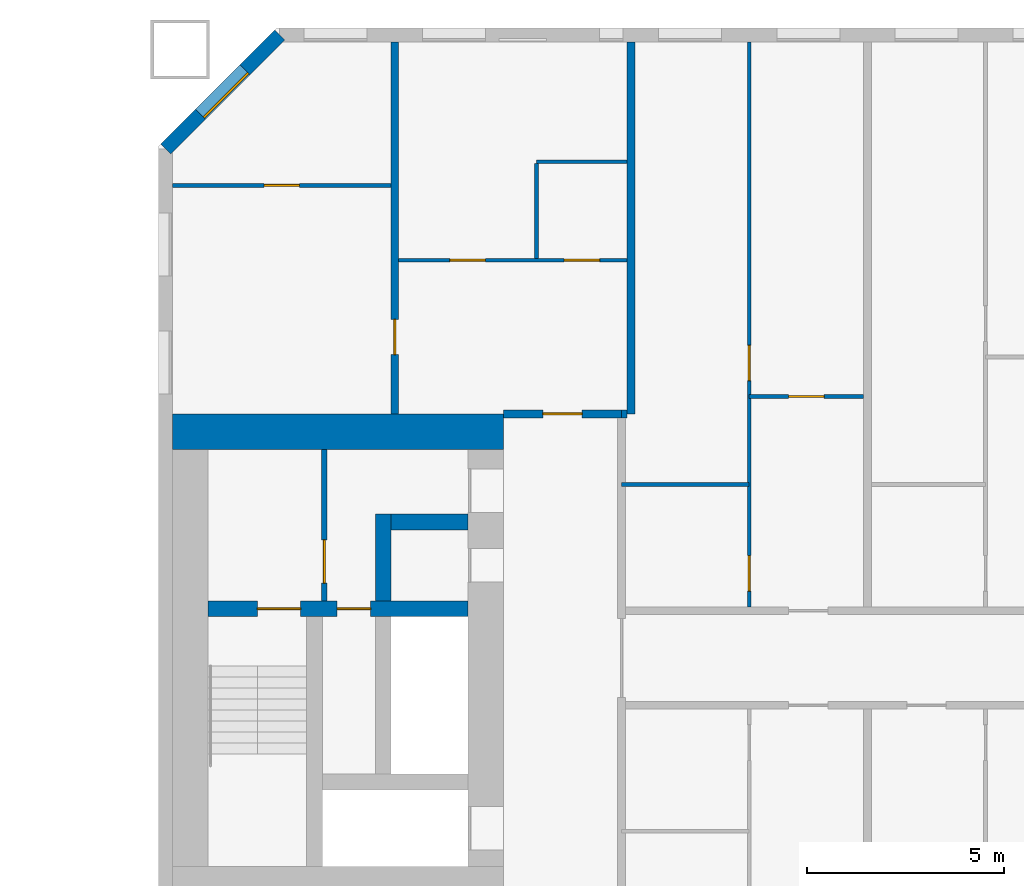
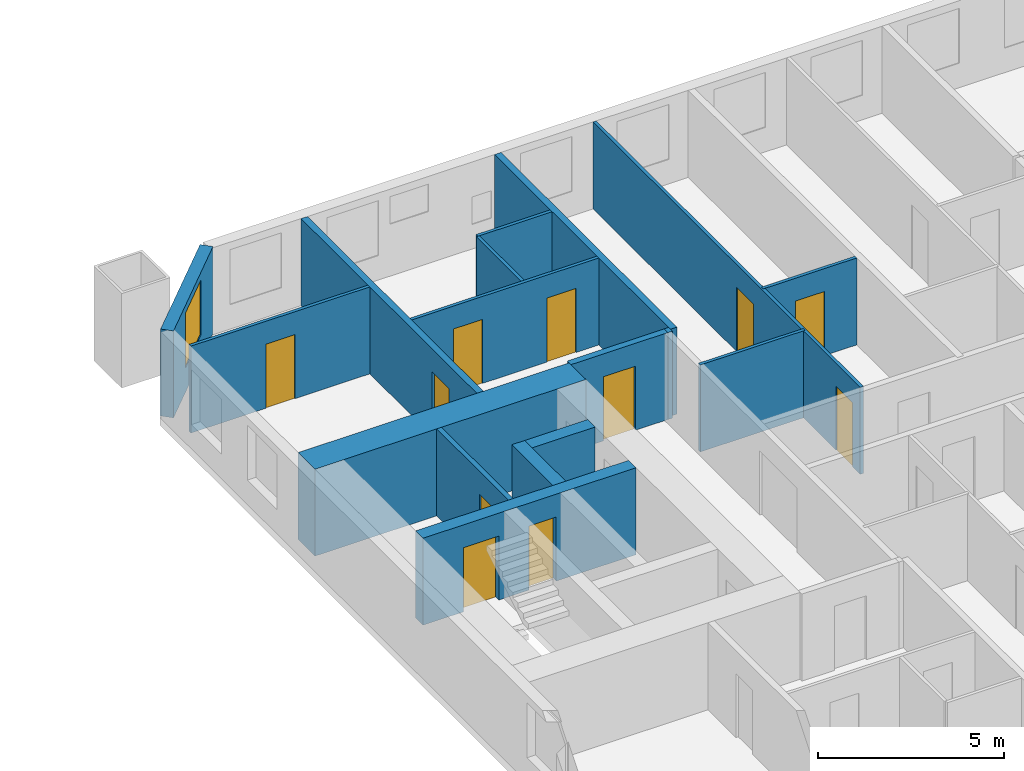
# One storey, part 10 of 17: 17 walls, 11 doors, 1 window, 12 openings.
"""IFC4 building model written with IfcOpenShell, lengths in metres."""

from ifc_helpers import new_model, si_unit, direction, frame, frame_2d, origin, place, context, subcontext, project, spatial, rectangle, extrude, material, layer, layer_set, type_object, element, fill, save


model = new_model("IFC4")

# Units and contexts
model_context = context("Model", 3, precision=1e-05, world=origin(), true_north=direction((0.0, 1.0)))
body_context = subcontext(model_context, "Body", "Model", "MODEL_VIEW")
ifc_project = project(units=[si_unit("LENGTHUNIT", "METRE"), si_unit("AREAUNIT", "SQUARE_METRE"), si_unit("VOLUMEUNIT", "CUBIC_METRE"), si_unit("PLANEANGLEUNIT", "RADIAN"), si_unit("MASSUNIT", "GRAM", prefix="KILO")], contexts=[model_context])

# Site, building, storey
site_placement = place(None, origin())
site = spatial("IfcSite", under=ifc_project, at=site_placement, CompositionType="ELEMENT")
building_placement = place(site_placement, origin())
building = spatial("IfcBuilding", under=site, at=building_placement, Name="Tuart Gate Housing", CompositionType="ELEMENT")
storey_placement = place(building_placement, frame((0.0, 0.0, 25.699951171875)))
storey = spatial("IfcBuildingStorey", under=building, at=storey_placement, Name="L06", CompositionType="ELEMENT", Elevation=25.699951171875)

# Wall, opening, window
ifc_material_1 = material(Name="Brick", Category="masonry")
ifc_layer_1 = layer(ifc_material_1, 0.360107421875)
ifc_layer_set_1 = layer_set([ifc_layer_1], Name="Brick pier and spandrel wall 360")
wall_type_1 = type_object("IfcWallType", Name="Brick pier and spandrel wall 360", PredefinedType="STANDARD", material=ifc_layer_set_1)
wall_1_placement = place(storey_placement, frame((134.07470703125, 85.820068359375, 0.0), z_axis=(0.0, 0.0, 1.0), x_axis=(-0.707106781187, -0.707106781187, 0.0)))
wall_1 = element("IfcWall", 1, at=wall_1_placement, inside=storey, type_object=wall_type_1, Name="External wall B-NW L06", PredefinedType="STANDARD", context=body_context, shape_type="SweptSolid", body=[
    extrude(rectangle(XDim=4.09375, YDim=0.360107421875, at=frame_2d((2.046875, 0.0))), origin(), (0.0, 0.0, 1.0), 2.85009765625),
])
opening_1_placement = place(wall_1_placement, frame((1.2470703125, 0.0, 0.800048828125)))
opening_1 = element("IfcOpeningElement", 2, at=opening_1_placement, cuts=wall_1, Name="Opening W1", PredefinedType="OPENING", context=body_context, shape_type="SweptSolid", body=[
    extrude(rectangle(XDim=1.60009765625, YDim=1.800048828125, at=frame_2d((0.800048828125, 0.89990234375))), frame((0.0, 0.18994140625, 0.0), z_axis=(0.0, -1.0, 0.0), x_axis=(1.0, 0.0, 0.0)), (0.0, 0.0, 1.0), 0.380126953125),
])
ifc_material_2 = material(Name="Aluminium frame with clear glass", Category="aluminium")
window_type = type_object("IfcWindowType", Name="Punched window 1600 x 1800", PartitioningType="SINGLE_PANEL", PredefinedType="WINDOW", material=ifc_material_2)
window_placement = place(opening_1_placement, origin())
window = element("IfcWindow", 3, at=window_placement, inside=storey, type_object=window_type, Name="Window W1", OverallHeight=1.800048828125, OverallWidth=1.60009765625, PartitioningType="SINGLE_PANEL", PredefinedType="WINDOW", context=body_context, shape_type="SweptSolid", body=[
    extrude(rectangle(XDim=1.60009765625, YDim=1.800048828125, at=frame_2d((0.800048828125, 0.89990234375))), frame((0.0, 0.150146484375, 0.0), z_axis=(0.0, -1.0, 0.0), x_axis=(1.0, 0.0, 0.0)), (0.0, 0.0, 1.0), 0.06005859375),
])
fill(opening_1, window)

# Wall, opening, door
ifc_material_3 = material(Name="Plasterboard partition")
ifc_layer_2 = layer(ifc_material_3, 0.14990234375)
ifc_layer_set_2 = layer_set([ifc_layer_2], Name="Core partition 150")
wall_type_2 = type_object("IfcWallType", Name="Core partition 150", PredefinedType="PARTITIONING", material=ifc_layer_set_2)
wall_2_placement = place(storey_placement, frame((135.2099609375, 71.449951171875, 0.0), z_axis=(0.0, 0.0, 1.0), x_axis=(0.0, 1.0, 0.0)))
wall_2 = element("IfcWall", 4, at=wall_2_placement, inside=storey, type_object=wall_type_2, Name="Core partition BG.6", PredefinedType="PARTITIONING", context=body_context, shape_type="SweptSolid", body=[
    extrude(rectangle(XDim=3.85009765625, YDim=0.14990234375, at=frame_2d((1.925048828125, 0.0))), origin(), (0.0, 0.0, 1.0), 2.85009765625),
])
opening_2_placement = place(wall_2_placement, frame((0.449951171875, 0.0, 0.0)))
opening_2 = element("IfcOpeningElement", 5, at=opening_2_placement, cuts=wall_2, Name="Opening D429", PredefinedType="OPENING", context=body_context, shape_type="SweptSolid", body=[
    extrude(rectangle(XDim=1.10009765625, YDim=2.10009765625, at=frame_2d((0.550048828125, 1.050048828125))), frame((0.0, 0.0849609375, 0.0), z_axis=(0.0, -1.0, 0.0), x_axis=(1.0, 0.0, 0.0)), (0.0, 0.0, 1.0), 0.169921875),
])
ifc_material_4 = material(Name="Steel fire door", Category="steel")
door_type_1 = type_object("IfcDoorType", Name="Lobby door 1100 x 2100", OperationType="SINGLE_SWING_LEFT", PredefinedType="DOOR", material=ifc_material_4)
door_1_placement = place(opening_2_placement, origin())
door_1 = element("IfcDoor", 6, at=door_1_placement, inside=storey, type_object=door_type_1, Name="Smoke lobby door BG.KD", OperationType="SINGLE_SWING_LEFT", OverallHeight=2.10009765625, OverallWidth=1.10009765625, PredefinedType="DOOR", context=body_context, shape_type="SweptSolid", body=[
    extrude(rectangle(XDim=1.10009765625, YDim=2.10009765625, at=frame_2d((0.550048828125, 1.050048828125))), frame((0.0, 0.02490234375, 0.0), z_axis=(0.0, -1.0, 0.0), x_axis=(1.0, 0.0, 0.0)), (0.0, 0.0, 1.0), 0.050048828125),
])
fill(opening_2, door_1)

# Wall, openings, doors
ifc_material_5 = material(Name="Concrete C60", Category="concrete")
ifc_layer_3 = layer(ifc_material_5, 0.39990234375)
ifc_layer_set_3 = layer_set([ifc_layer_3], Name="Core wall 400 C60")
wall_type_3 = type_object("IfcWallType", Name="Core wall 400 C60", PredefinedType="SHEAR", material=ifc_layer_set_3)
wall_3_placement = place(storey_placement, frame((138.860107421875, 71.25, 0.0), z_axis=(0.0, 0.0, 1.0), x_axis=(-1.0, 0.0, 0.0)))
wall_3 = element("IfcWall", 7, at=wall_3_placement, inside=storey, type_object=wall_type_3, Name="Core wall BG.2", PredefinedType="SHEAR", context=body_context, shape_type="SweptSolid", body=[
    extrude(rectangle(XDim=6.60009765625, YDim=0.39990234375, at=frame_2d((3.300048828125, 0.0))), origin(), (0.0, 0.0, 1.0), 2.85009765625),
])
opening_3_placement = place(wall_3_placement, frame((4.25, 0.0, 0.0)))
opening_3 = element("IfcOpeningElement", 8, at=opening_3_placement, cuts=wall_3, Name="Opening D431", PredefinedType="OPENING", context=body_context, shape_type="SweptSolid", body=[
    extrude(rectangle(XDim=1.10009765625, YDim=2.10009765625, at=frame_2d((0.550048828125, 1.050048828125))), frame((0.0, 0.2099609375, 0.0), z_axis=(0.0, -1.0, 0.0), x_axis=(1.0, 0.0, 0.0)), (0.0, 0.0, 1.0), 0.419921875),
])
opening_4_placement = place(wall_3_placement, frame((2.47509765625, 0.0, 0.0)))
opening_4 = element("IfcOpeningElement", 9, at=opening_4_placement, cuts=wall_3, Name="Opening D430", PredefinedType="OPENING", context=body_context, shape_type="SweptSolid", body=[
    extrude(rectangle(XDim=0.85009765625, YDim=2.10009765625, at=frame_2d((0.425048828125, 1.050048828125))), frame((0.0, 0.2099609375, 0.0), z_axis=(0.0, -1.0, 0.0), x_axis=(1.0, 0.0, 0.0)), (0.0, 0.0, 1.0), 0.419921875),
])
ifc_material_6 = material(Name="Steel fire door", Category="steel")
door_type_2 = type_object("IfcDoorType", Name="Riser door 850 x 2100", OperationType="SINGLE_SWING_LEFT", PredefinedType="DOOR", material=ifc_material_6)
door_2_placement = place(opening_4_placement, origin())
door_2 = element("IfcDoor", 10, at=door_2_placement, inside=storey, type_object=door_type_2, Name="Service room door BG.W1", OperationType="SINGLE_SWING_LEFT", OverallHeight=2.10009765625, OverallWidth=0.85009765625, PredefinedType="DOOR", context=body_context, shape_type="SweptSolid", body=[
    extrude(rectangle(XDim=0.85009765625, YDim=2.10009765625, at=frame_2d((0.425048828125, 1.050048828125))), frame((0.0, 0.02490234375, 0.0), z_axis=(0.0, -1.0, 0.0), x_axis=(1.0, 0.0, 0.0)), (0.0, 0.0, 1.0), 0.050048828125),
])
fill(opening_4, door_2)
ifc_material_7 = material(Name="Steel fire door", Category="steel")
door_type_3 = type_object("IfcDoorType", Name="Stair door 1100 x 2100", OperationType="SINGLE_SWING_LEFT", PredefinedType="DOOR", material=ifc_material_7)
door_3_placement = place(opening_3_placement, origin())
door_3 = element("IfcDoor", 11, at=door_3_placement, inside=storey, type_object=door_type_3, Name="Stair door BG.SD", OperationType="SINGLE_SWING_LEFT", OverallHeight=2.10009765625, OverallWidth=1.10009765625, PredefinedType="DOOR", context=body_context, shape_type="SweptSolid", body=[
    extrude(rectangle(XDim=1.10009765625, YDim=2.10009765625, at=frame_2d((0.550048828125, 1.050048828125))), frame((0.0, 0.02490234375, 0.0), z_axis=(0.0, -1.0, 0.0), x_axis=(1.0, 0.0, 0.0)), (0.0, 0.0, 1.0), 0.050048828125),
])
fill(opening_3, door_3)

# Walls
wall_4_placement = place(storey_placement, frame((138.860107421875, 73.449951171875, 0.0), z_axis=(0.0, 0.0, 1.0), x_axis=(-1.0, 0.0, 0.0)))
element("IfcWall", 12, at=wall_4_placement, inside=storey, type_object=wall_type_3, Name="Core wall BG.3", PredefinedType="SHEAR", context=body_context, shape_type="SweptSolid", body=[
    extrude(rectangle(XDim=1.9501953125, YDim=0.39990234375, at=frame_2d((0.97509765625, 0.0))), origin(), (0.0, 0.0, 1.0), 2.85009765625),
])
wall_5_placement = place(storey_placement, frame((136.7099609375, 71.449951171875, 0.0), z_axis=(0.0, 0.0, 1.0), x_axis=(0.0, 1.0, 0.0)))
element("IfcWall", 13, at=wall_5_placement, inside=storey, type_object=wall_type_3, Name="Core wall BG.5", PredefinedType="SHEAR", context=body_context, shape_type="SweptSolid", body=[
    extrude(rectangle(XDim=2.199951171875, YDim=0.39990234375, at=frame_2d((1.10009765625, 0.0))), origin(), (0.0, 0.0, 1.0), 2.85009765625),
])
ifc_material_8 = material(Name="Concrete C60", Category="concrete")
ifc_layer_4 = layer(ifc_material_8, 0.89990234375)
ifc_layer_set_4 = layer_set([ifc_layer_4], Name="Core wall 900 C60")
wall_type_4 = type_object("IfcWallType", Name="Core wall 900 C60", PredefinedType="SHEAR", material=ifc_layer_set_4)
wall_6_placement = place(storey_placement, frame((139.760009765625, 75.75, 0.0), z_axis=(0.0, 0.0, 1.0), x_axis=(-1.0, 0.0, 0.0)))
element("IfcWall", 14, at=wall_6_placement, inside=storey, type_object=wall_type_4, Name="Core wall BG north", PredefinedType="SHEAR", context=body_context, shape_type="SweptSolid", body=[
    extrude(rectangle(XDim=8.39990234375, YDim=0.89990234375, at=frame_2d((4.199951171875, 0.0))), origin(), (0.0, 0.0, 1.0), 2.85009765625),
])

# Wall, opening, door
ifc_material_9 = material(Name="Concrete masonry 15 MPa", Category="masonry")
ifc_layer_5 = layer(ifc_material_9, 0.199951171875)
ifc_layer_set_5 = layer_set([ifc_layer_5], Name="Enclosure wall masonry 200")
wall_type_5 = type_object("IfcWallType", Name="Enclosure wall masonry 200", PredefinedType="PARTITIONING", material=ifc_layer_set_5)
wall_7_placement = place(storey_placement, frame((139.760009765625, 76.199951171875, 0.0), z_axis=(0.0, 0.0, 1.0), x_axis=(1.0, 0.0, 0.0)))
wall_7 = element("IfcWall", 15, at=wall_7_placement, inside=storey, type_object=wall_type_5, Name="Enclosure wall masonry 200", PredefinedType="PARTITIONING", context=body_context, shape_type="SweptSolid", body=[
    extrude(rectangle(XDim=3.0, YDim=0.199951171875, at=frame_2d((1.5, 0.0))), origin(), (0.0, 0.0, 1.0), 2.85009765625),
])
opening_5_placement = place(wall_7_placement, frame((1.0, 0.0, 0.0)))
opening_5 = element("IfcOpeningElement", 16, at=opening_5_placement, cuts=wall_7, Name="Opening D426", PredefinedType="OPENING", context=body_context, shape_type="SweptSolid", body=[
    extrude(rectangle(XDim=1.0, YDim=2.10009765625, at=frame_2d((0.5, 1.050048828125))), frame((0.0, 0.10986328125, 0.0), z_axis=(0.0, -1.0, 0.0), x_axis=(1.0, 0.0, 0.0)), (0.0, 0.0, 1.0), 0.219970703125),
])
ifc_material_10 = material(Name="Timber door leaf in steel frame", Category="steel")
door_type_4 = type_object("IfcDoorType", Name="Flat entrance door 1000 RH", OperationType="SINGLE_SWING_RIGHT", PredefinedType="DOOR", material=ifc_material_10)
door_4_placement = place(opening_5_placement, origin())
door_4 = element("IfcDoor", 17, at=door_4_placement, inside=storey, type_object=door_type_4, Name="Flat entrance door", OperationType="SINGLE_SWING_RIGHT", OverallHeight=2.10009765625, OverallWidth=1.0, PredefinedType="DOOR", context=body_context, shape_type="SweptSolid", body=[
    extrude(rectangle(XDim=1.0, YDim=2.10009765625, at=frame_2d((0.5, 1.050048828125))), frame((0.0, 0.02490234375, 0.0), z_axis=(0.0, -1.0, 0.0), x_axis=(1.0, 0.0, 0.0)), (0.0, 0.0, 1.0), 0.050048828125),
])
fill(opening_5, door_4)

# Wall
ifc_material_11 = material(Name="Gypsum board on steel studs", Category="steel")
ifc_layer_6 = layer(ifc_material_11, 0.10009765625)
ifc_layer_set_6 = layer_set([ifc_layer_6], Name="Partition 100")
wall_type_6 = type_object("IfcWallType", Name="Partition 100", PredefinedType="PARTITIONING", material=ifc_layer_set_6)
wall_8_placement = place(storey_placement, frame((142.760009765625, 74.39990234375, 0.0), z_axis=(0.0, 0.0, 1.0), x_axis=(1.0, 0.0, 0.0)))
element("IfcWall", 18, at=wall_8_placement, inside=storey, type_object=wall_type_6, Name="Partition 100", PredefinedType="PARTITIONING", context=body_context, shape_type="SweptSolid", body=[
    extrude(rectangle(XDim=3.239990234375, YDim=0.10009765625, at=frame_2d((1.6201171875, 0.0))), origin(), (0.0, 0.0, 1.0), 2.85009765625),
])

# Wall, opening, door
wall_9_placement = place(storey_placement, frame((146.0, 76.639892578125, 0.0), z_axis=(0.0, 0.0, 1.0), x_axis=(1.0, 0.0, 0.0)))
wall_9 = element("IfcWall", 19, at=wall_9_placement, inside=storey, type_object=wall_type_6, Name="Partition 100", PredefinedType="PARTITIONING", context=body_context, shape_type="SweptSolid", body=[
    extrude(rectangle(XDim=2.89990234375, YDim=0.10009765625, at=frame_2d((1.449951171875, 0.0))), origin(), (0.0, 0.0, 1.0), 2.85009765625),
])
opening_6_placement = place(wall_9_placement, frame((1.0, 0.0, 0.0)))
opening_6 = element("IfcOpeningElement", 20, at=opening_6_placement, cuts=wall_9, Name="Opening D425", PredefinedType="OPENING", context=body_context, shape_type="SweptSolid", body=[
    extrude(rectangle(XDim=0.89990234375, YDim=2.10009765625, at=frame_2d((0.449951171875, 1.050048828125))), frame((0.0, 0.06005859375, 0.0), z_axis=(0.0, -1.0, 0.0), x_axis=(1.0, 0.0, 0.0)), (0.0, 0.0, 1.0), 0.1201171875),
])
ifc_material_12 = material(Name="Timber door leaf in steel frame", Category="steel")
door_type_5 = type_object("IfcDoorType", Name="Internal door 900 RH", OperationType="SINGLE_SWING_RIGHT", PredefinedType="DOOR", material=ifc_material_12)
door_5_placement = place(opening_6_placement, frame((0.89990234375, 0.0, 0.0), z_axis=(0.0, 0.0, 1.0), x_axis=(-1.0, 0.0, 0.0)))
door_5 = element("IfcDoor", 21, at=door_5_placement, inside=storey, type_object=door_type_5, Name="Internal door", OperationType="SINGLE_SWING_RIGHT", OverallHeight=2.10009765625, OverallWidth=0.89990234375, PredefinedType="DOOR", context=body_context, shape_type="SweptSolid", body=[
    extrude(rectangle(XDim=0.89990234375, YDim=2.10009765625, at=frame_2d((0.449951171875, 1.050048828125))), frame((0.0, 0.025146484375, 0.0), z_axis=(0.0, -1.0, 0.0), x_axis=(1.0, 0.0, 0.0)), (0.0, 0.0, 1.0), 0.050048828125),
])
fill(opening_6, door_5)

# Wall, openings, doors
wall_10_placement = place(storey_placement, frame((137.10009765625, 80.10009765625, 0.0), z_axis=(0.0, 0.0, 1.0), x_axis=(1.0, 0.0, 0.0)))
wall_10 = element("IfcWall", 22, at=wall_10_placement, inside=storey, type_object=wall_type_6, Name="Partition 100", PredefinedType="PARTITIONING", context=body_context, shape_type="SweptSolid", body=[
    extrude(rectangle(XDim=5.7998046875, YDim=0.10009765625, at=frame_2d((2.89990234375, 0.0))), origin(), (0.0, 0.0, 1.0), 2.85009765625),
])
opening_7_placement = place(wall_10_placement, frame((1.300048828125, 0.0, 0.0)))
opening_7 = element("IfcOpeningElement", 23, at=opening_7_placement, cuts=wall_10, Name="Opening D417", PredefinedType="OPENING", context=body_context, shape_type="SweptSolid", body=[
    extrude(rectangle(XDim=0.89990234375, YDim=2.10009765625, at=frame_2d((0.449951171875, 1.050048828125))), frame((0.0, 0.06005859375, 0.0), z_axis=(0.0, -1.0, 0.0), x_axis=(1.0, 0.0, 0.0)), (0.0, 0.0, 1.0), 0.1201171875),
])
opening_8_placement = place(wall_10_placement, frame((4.199951171875, 0.0, 0.0)))
opening_8 = element("IfcOpeningElement", 24, at=opening_8_placement, cuts=wall_10, Name="Opening D416", PredefinedType="OPENING", context=body_context, shape_type="SweptSolid", body=[
    extrude(rectangle(XDim=0.89990234375, YDim=2.10009765625, at=frame_2d((0.449951171875, 1.050048828125))), frame((0.0, 0.06005859375, 0.0), z_axis=(0.0, -1.0, 0.0), x_axis=(1.0, 0.0, 0.0)), (0.0, 0.0, 1.0), 0.1201171875),
])
ifc_material_13 = material(Name="Timber door leaf in steel frame", Category="steel")
door_type_6 = type_object("IfcDoorType", Name="Bathroom door 900", OperationType="SINGLE_SWING_LEFT", PredefinedType="DOOR", material=ifc_material_13)
door_6_placement = place(opening_8_placement, origin())
door_6 = element("IfcDoor", 25, at=door_6_placement, inside=storey, type_object=door_type_6, Name="Bathroom door", OperationType="SINGLE_SWING_LEFT", OverallHeight=2.10009765625, OverallWidth=0.89990234375, PredefinedType="DOOR", context=body_context, shape_type="SweptSolid", body=[
    extrude(rectangle(XDim=0.89990234375, YDim=2.10009765625, at=frame_2d((0.449951171875, 1.050048828125))), frame((0.0, 0.02490234375, 0.0), z_axis=(0.0, -1.0, 0.0), x_axis=(1.0, 0.0, 0.0)), (0.0, 0.0, 1.0), 0.050048828125),
])
fill(opening_8, door_6)
door_7_placement = place(opening_7_placement, origin())
door_7 = element("IfcDoor", 26, at=door_7_placement, inside=storey, type_object=door_type_5, Name="Internal door", OperationType="SINGLE_SWING_RIGHT", OverallHeight=2.10009765625, OverallWidth=0.89990234375, PredefinedType="DOOR", context=body_context, shape_type="SweptSolid", body=[
    extrude(rectangle(XDim=0.89990234375, YDim=2.10009765625, at=frame_2d((0.449951171875, 1.050048828125))), frame((0.0, 0.02490234375, 0.0), z_axis=(0.0, -1.0, 0.0), x_axis=(1.0, 0.0, 0.0)), (0.0, 0.0, 1.0), 0.050048828125),
])
fill(opening_7, door_7)

# Wall, opening, door
wall_11_placement = place(storey_placement, frame((131.360107421875, 82.0, 0.0), z_axis=(0.0, 0.0, 1.0), x_axis=(1.0, 0.0, 0.0)))
wall_11 = element("IfcWall", 27, at=wall_11_placement, inside=storey, type_object=wall_type_6, Name="Partition 100", PredefinedType="PARTITIONING", context=body_context, shape_type="SweptSolid", body=[
    extrude(rectangle(XDim=5.539794921875, YDim=0.10009765625, at=frame_2d((2.77001953125, 0.0))), origin(), (0.0, 0.0, 1.0), 2.85009765625),
])
opening_9_placement = place(wall_11_placement, frame((2.320068359375, 0.0, 0.0)))
opening_9 = element("IfcOpeningElement", 28, at=opening_9_placement, cuts=wall_11, Name="Opening D414", PredefinedType="OPENING", context=body_context, shape_type="SweptSolid", body=[
    extrude(rectangle(XDim=0.89990234375, YDim=2.10009765625, at=frame_2d((0.449951171875, 1.050048828125))), frame((0.0, 0.06005859375, 0.0), z_axis=(0.0, -1.0, 0.0), x_axis=(1.0, 0.0, 0.0)), (0.0, 0.0, 1.0), 0.1201171875),
])
ifc_material_14 = material(Name="Timber door leaf in steel frame", Category="steel")
door_type_7 = type_object("IfcDoorType", Name="Internal door 900", OperationType="SINGLE_SWING_LEFT", PredefinedType="DOOR", material=ifc_material_14)
door_8_placement = place(opening_9_placement, origin())
door_8 = element("IfcDoor", 29, at=door_8_placement, inside=storey, type_object=door_type_7, Name="Internal door", OperationType="SINGLE_SWING_LEFT", OverallHeight=2.10009765625, OverallWidth=0.89990234375, PredefinedType="DOOR", context=body_context, shape_type="SweptSolid", body=[
    extrude(rectangle(XDim=0.89990234375, YDim=2.10009765625, at=frame_2d((0.449951171875, 1.050048828125))), frame((0.0, 0.02490234375, 0.0), z_axis=(0.0, -1.0, 0.0), x_axis=(1.0, 0.0, 0.0)), (0.0, 0.0, 1.0), 0.050048828125),
])
fill(opening_9, door_8)

# Walls
wall_12_placement = place(storey_placement, frame((140.60009765625, 82.60009765625, 0.0), z_axis=(0.0, 0.0, 1.0), x_axis=(1.0, 0.0, 0.0)))
element("IfcWall", 30, at=wall_12_placement, inside=storey, type_object=wall_type_6, Name="Partition 100", PredefinedType="PARTITIONING", context=body_context, shape_type="SweptSolid", body=[
    extrude(rectangle(XDim=2.2998046875, YDim=0.10009765625, at=frame_2d((1.14990234375, 0.0))), origin(), (0.0, 0.0, 1.0), 2.85009765625),
])
wall_13_placement = place(storey_placement, frame((140.60009765625, 80.14990234375, 0.0), z_axis=(0.0, 0.0, 1.0), x_axis=(0.0, 1.0, 0.0)))
element("IfcWall", 31, at=wall_13_placement, inside=storey, type_object=wall_type_6, Name="Partition 100", PredefinedType="PARTITIONING", context=body_context, shape_type="SweptSolid", body=[
    extrude(rectangle(XDim=2.400146484375, YDim=0.10009765625, at=frame_2d((1.2001953125, 0.0))), origin(), (0.0, 0.0, 1.0), 2.85009765625),
])

# Wall, openings, doors
wall_14_placement = place(storey_placement, frame((146.0, 71.300048828125, 0.0), z_axis=(0.0, 0.0, 1.0), x_axis=(0.0, 1.0, 0.0)))
wall_14 = element("IfcWall", 32, at=wall_14_placement, inside=storey, type_object=wall_type_6, Name="Partition 100", PredefinedType="PARTITIONING", context=body_context, shape_type="SweptSolid", body=[
    extrude(rectangle(XDim=14.33984375, YDim=0.10009765625, at=frame_2d((7.169921875, 0.0))), origin(), (0.0, 0.0, 1.0), 2.85009765625),
])
opening_10_placement = place(wall_14_placement, frame((5.739990234375, 0.0, 0.0)))
opening_10 = element("IfcOpeningElement", 33, at=opening_10_placement, cuts=wall_14, Name="Opening D421", PredefinedType="OPENING", context=body_context, shape_type="SweptSolid", body=[
    extrude(rectangle(XDim=0.89990234375, YDim=2.10009765625, at=frame_2d((0.449951171875, 1.050048828125))), frame((0.0, 0.06005859375, 0.0), z_axis=(0.0, -1.0, 0.0), x_axis=(1.0, 0.0, 0.0)), (0.0, 0.0, 1.0), 0.1201171875),
])
opening_11_placement = place(wall_14_placement, frame((0.39990234375, 0.0, 0.0)))
opening_11 = element("IfcOpeningElement", 34, at=opening_11_placement, cuts=wall_14, Name="Opening D420", PredefinedType="OPENING", context=body_context, shape_type="SweptSolid", body=[
    extrude(rectangle(XDim=0.89990234375, YDim=2.10009765625, at=frame_2d((0.449951171875, 1.050048828125))), frame((0.0, 0.06005859375, 0.0), z_axis=(0.0, -1.0, 0.0), x_axis=(1.0, 0.0, 0.0)), (0.0, 0.0, 1.0), 0.1201171875),
])
door_9_placement = place(opening_11_placement, origin())
door_9 = element("IfcDoor", 35, at=door_9_placement, inside=storey, type_object=door_type_6, Name="Bathroom door", OperationType="SINGLE_SWING_LEFT", OverallHeight=2.10009765625, OverallWidth=0.89990234375, PredefinedType="DOOR", context=body_context, shape_type="SweptSolid", body=[
    extrude(rectangle(XDim=0.89990234375, YDim=2.10009765625, at=frame_2d((0.449951171875, 1.050048828125))), frame((0.0, 0.02490234375, 0.0), z_axis=(0.0, -1.0, 0.0), x_axis=(1.0, 0.0, 0.0)), (0.0, 0.0, 1.0), 0.050048828125),
])
fill(opening_11, door_9)
door_10_placement = place(opening_10_placement, origin())
door_10 = element("IfcDoor", 36, at=door_10_placement, inside=storey, type_object=door_type_7, Name="Internal door", OperationType="SINGLE_SWING_LEFT", OverallHeight=2.10009765625, OverallWidth=0.89990234375, PredefinedType="DOOR", context=body_context, shape_type="SweptSolid", body=[
    extrude(rectangle(XDim=0.89990234375, YDim=2.10009765625, at=frame_2d((0.449951171875, 1.050048828125))), frame((0.0, 0.02490234375, 0.0), z_axis=(0.0, -1.0, 0.0), x_axis=(1.0, 0.0, 0.0)), (0.0, 0.0, 1.0), 0.050048828125),
])
fill(opening_10, door_10)

# Wall, opening, door
ifc_material_15 = material(Name="Concrete C40", Category="concrete")
ifc_layer_7 = layer(ifc_material_15, 0.199951171875)
ifc_layer_set_7 = layer_set([ifc_layer_7], Name="Party wall concrete C40 200")
wall_type_7 = type_object("IfcWallType", Name="Party wall concrete C40 200", PredefinedType="SOLIDWALL", material=ifc_layer_set_7)
wall_15_placement = place(storey_placement, frame((137.0, 76.199951171875, 0.0), z_axis=(0.0, 0.0, 1.0), x_axis=(0.0, 1.0, 0.0)))
wall_15 = element("IfcWall", 37, at=wall_15_placement, inside=storey, type_object=wall_type_7, Name="Party wall concrete C40 200", PredefinedType="SOLIDWALL", context=body_context, shape_type="SweptSolid", body=[
    extrude(rectangle(XDim=9.43994140625, YDim=0.199951171875, at=frame_2d((4.719970703125, 0.0))), origin(), (0.0, 0.0, 1.0), 2.85009765625),
])
opening_12_placement = place(wall_15_placement, frame((1.5, 0.0, 0.0)))
opening_12 = element("IfcOpeningElement", 38, at=opening_12_placement, cuts=wall_15, Name="Opening D415", PredefinedType="OPENING", context=body_context, shape_type="SweptSolid", body=[
    extrude(rectangle(XDim=0.89990234375, YDim=2.10009765625, at=frame_2d((0.449951171875, 1.050048828125))), frame((0.0, 0.10986328125, 0.0), z_axis=(0.0, -1.0, 0.0), x_axis=(1.0, 0.0, 0.0)), (0.0, 0.0, 1.0), 0.219970703125),
])
door_11_placement = place(opening_12_placement, frame((0.89990234375, 0.0, 0.0), z_axis=(0.0, 0.0, 1.0), x_axis=(-1.0, 0.0, 0.0)))
door_11 = element("IfcDoor", 39, at=door_11_placement, inside=storey, type_object=door_type_5, Name="Internal door", OperationType="SINGLE_SWING_RIGHT", OverallHeight=2.10009765625, OverallWidth=0.89990234375, PredefinedType="DOOR", context=body_context, shape_type="SweptSolid", body=[
    extrude(rectangle(XDim=0.89990234375, YDim=2.10009765625, at=frame_2d((0.449951171875, 1.050048828125))), frame((0.0, 0.025146484375, 0.0), z_axis=(0.0, -1.0, 0.0), x_axis=(1.0, 0.0, 0.0)), (0.0, 0.0, 1.0), 0.050048828125),
])
fill(opening_12, door_11)

# Walls
wall_16_placement = place(storey_placement, frame((143.0, 76.199951171875, 0.0), z_axis=(0.0, 0.0, 1.0), x_axis=(0.0, 1.0, 0.0)))
element("IfcWall", 40, at=wall_16_placement, inside=storey, type_object=wall_type_7, Name="Party wall concrete C40 200", PredefinedType="SOLIDWALL", context=body_context, shape_type="SweptSolid", body=[
    extrude(rectangle(XDim=9.43994140625, YDim=0.199951171875, at=frame_2d((4.719970703125, 0.0))), origin(), (0.0, 0.0, 1.0), 2.85009765625),
])
ifc_material_16 = material(Name="Concrete masonry 15 MPa", Category="masonry")
ifc_layer_8 = layer(ifc_material_16, 0.199951171875)
ifc_layer_set_8 = layer_set([ifc_layer_8], Name="Party wall masonry 200")
wall_type_8 = type_object("IfcWallType", Name="Party wall masonry 200", PredefinedType="PARTITIONING", material=ifc_layer_set_8)
wall_17_placement = place(storey_placement, frame((142.760009765625, 76.199951171875, 0.0), z_axis=(0.0, 0.0, 1.0), x_axis=(1.0, 0.0, 0.0)))
element("IfcWall", 41, at=wall_17_placement, inside=storey, type_object=wall_type_8, Name="Party wall masonry 200", PredefinedType="PARTITIONING", context=body_context, shape_type="SweptSolid", body=[
    extrude(rectangle(XDim=0.139892578125, YDim=0.199951171875, at=frame_2d((0.06982421875, 0.0))), origin(), (0.0, 0.0, 1.0), 2.85009765625),
])

save(model, "model.ifc")
